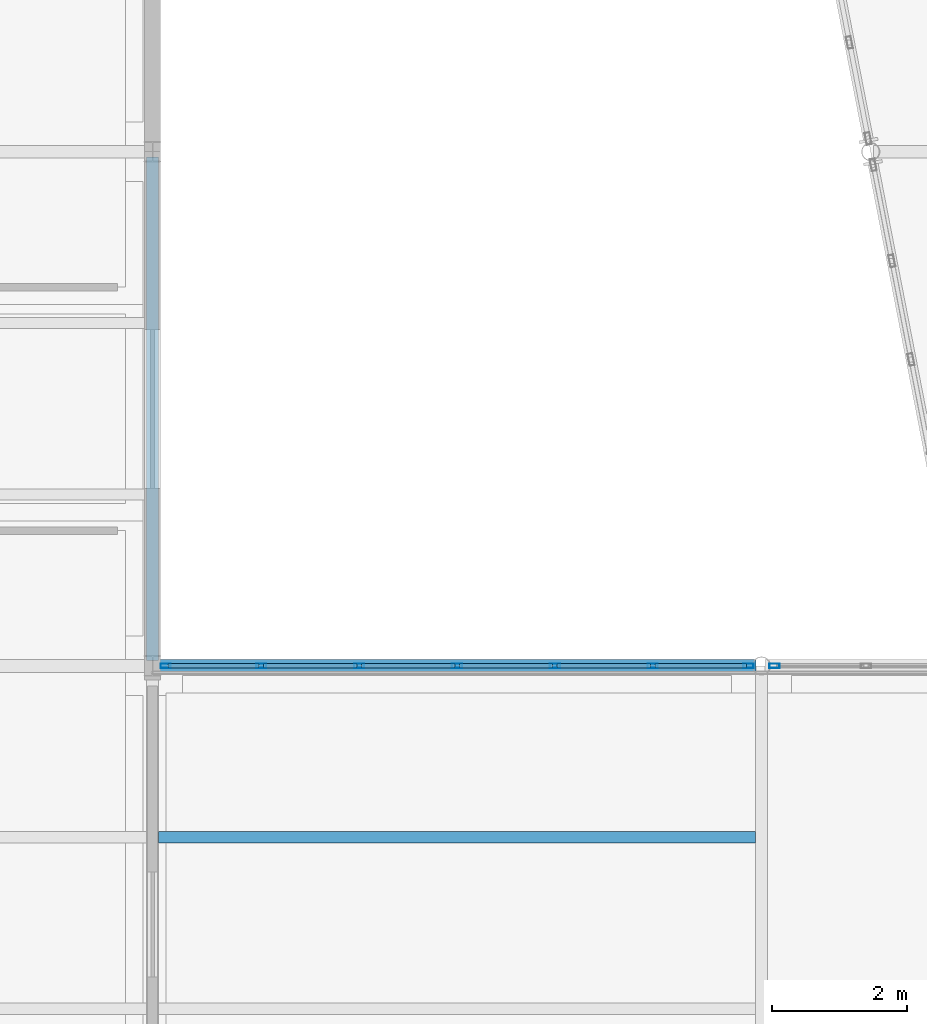
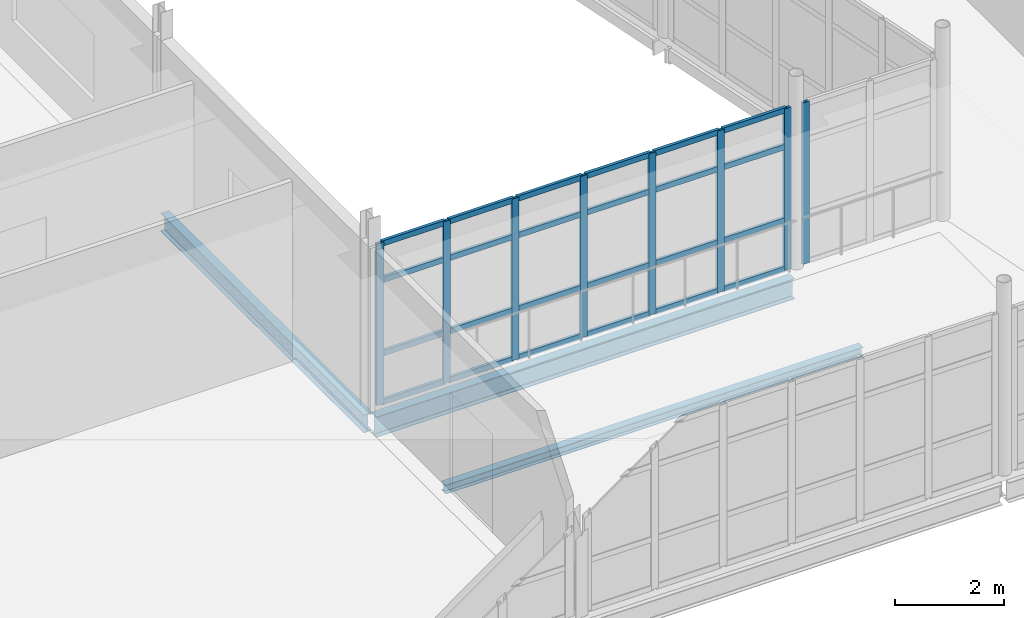
# One storey, part 95 of 174: 32 members, 3 beams, 2 elements without a shape of their own.
"""IFC4 building model written with IfcOpenShell, lengths in metres."""

from ifc_helpers import new_model, si_unit, direction, frame, origin, origin_2d, place, context, subcontext, project, spatial, hollow_rectangle, i_section, extrude, material, material_profile, profile_set, type_object, element, aggregate, save


model = new_model("IFC4")

# Units and contexts
model_context = context("Model", 3, precision=1e-05, world=origin(), true_north=direction((0.0, 1.0)))
body_context = subcontext(model_context, "Body", "Model", "MODEL_VIEW")
ifc_project = project(units=[si_unit("LENGTHUNIT", "METRE"), si_unit("AREAUNIT", "SQUARE_METRE"), si_unit("VOLUMEUNIT", "CUBIC_METRE"), si_unit("PLANEANGLEUNIT", "RADIAN"), si_unit("MASSUNIT", "GRAM", prefix="KILO")], contexts=[model_context])

# Site, building, storey
site_placement = place(None, origin())
site = spatial("IfcSite", under=ifc_project, at=site_placement, CompositionType="ELEMENT")
building_placement = place(site_placement, origin())
building = spatial("IfcBuilding", under=site, at=building_placement, Name="Caisbarro Railhouse Central Library", CompositionType="ELEMENT")
storey_placement = place(building_placement, frame((0.0, 0.0, 5.0400390625)))
storey = spatial("IfcBuildingStorey", under=building, at=storey_placement, Name="L01", CompositionType="ELEMENT", Elevation=5.0400390625)

# Beams
ifc_material_1 = material(Name="Steel ASTM A572 Grade 50", Category="steel")
ifc_material_profile_1 = material_profile(ifc_material_1, i_section(OverallWidth=0.177978515625, OverallDepth=0.406982421875, WebThickness=0.0078125, FlangeThickness=0.0126953125, FilletRadius=0.01611328125, at=origin_2d()), Name="W410X60.0")
ifc_profile_set_1 = profile_set([ifc_material_profile_1], Name="Steel ASTM A572 Grade 50")
beam_type_1 = type_object("IfcBeamType", Name="BM-G10", PredefinedType="BEAM", material=ifc_profile_set_1)
beam_1_placement = place(storey_placement, frame((99.0, 91.280029296875, -0.403564453125), z_axis=(0.0, 1.0, 0.0), x_axis=(-1.0, 0.0, 0.0)))
element("IfcBeam", 1, at=beam_1_placement, inside=storey, type_object=beam_type_1, Name="G10 beam L01 #1205", PredefinedType="BEAM", context=body_context, shape_type="SweptSolid", body=[
    extrude(i_section(OverallWidth=0.177978515625, OverallDepth=0.406982421875, WebThickness=0.0078125, FlangeThickness=0.0126953125, FilletRadius=0.01611328125, at=origin_2d()), origin(), (0.0, 0.0, 1.0), 7.43994140625),
])
ifc_material_profile_2 = material_profile(ifc_material_1, i_section(OverallWidth=0.1650390625, OverallDepth=0.200927734375, WebThickness=0.006103515625, FlangeThickness=0.01025390625, FilletRadius=0.010009765625, at=origin_2d()), Name="W200X35.9")
ifc_profile_set_2 = profile_set([ifc_material_profile_2], Name="Steel ASTM A572 Grade 50")
beam_type_2 = type_object("IfcBeamType", Name="BM-J06", PredefinedType="JOIST", material=ifc_profile_set_2)
beam_2_placement = place(storey_placement, frame((99.089111328125, 88.666748046875, -0.300537109375), z_axis=(1.0, 0.0, 0.0), x_axis=(0.0, 1.0, 0.0)))
element("IfcBeam", 2, at=beam_2_placement, inside=storey, type_object=beam_type_2, Name="J06 beam L01 #1264", PredefinedType="JOIST", context=body_context, shape_type="SweptSolid", body=[
    extrude(i_section(OverallWidth=0.1650390625, OverallDepth=0.200927734375, WebThickness=0.006103515625, FlangeThickness=0.01025390625, FilletRadius=0.010009765625, at=origin_2d()), origin(), (0.0, 0.0, 1.0), 8.82177734375),
])
ifc_material_profile_3 = material_profile(ifc_material_1, i_section(OverallWidth=0.18994140625, OverallDepth=0.45703125, WebThickness=0.009033203125, FlangeThickness=0.014404296875, FilletRadius=0.01806640625, at=origin_2d()), Name="W460X74.0")
ifc_profile_set_3 = profile_set([ifc_material_profile_3], Name="Steel ASTM A572 Grade 50")
beam_type_3 = type_object("IfcBeamType", Name="BM-SP01", PredefinedType="SPANDREL", material=ifc_profile_set_3)
beam_3_placement = place(storey_placement, frame((99.080078125, 91.199951171875, -0.428466796875), z_axis=(1.0, 0.0, 0.0), x_axis=(0.0, 1.0, 0.0)))
element("IfcBeam", 3, at=beam_3_placement, inside=storey, type_object=beam_type_3, Name="SP01 beam L01 #1261", PredefinedType="SPANDREL", context=body_context, shape_type="SweptSolid", body=[
    extrude(i_section(OverallWidth=0.18994140625, OverallDepth=0.45703125, WebThickness=0.009033203125, FlangeThickness=0.014404296875, FilletRadius=0.01806640625, at=origin_2d()), origin(), (0.0, 0.0, 1.0), 8.83984375),
])

# Curtain wall, members
ifc_material_2 = material(Name="Anodised architectural aluminium", Category="aluminium")
curtain_wall_type = type_object("IfcCurtainWallType", Name="CW-CW03", PredefinedType="NOTDEFINED", material=ifc_material_2)
curtain_wall_1_placement = place(storey_placement, origin())
curtain_wall_1 = element("IfcCurtainWall", 4, at=curtain_wall_1_placement, inside=storey, type_object=curtain_wall_type, Name="CW03 curtain wall L01 #200", PredefinedType="NOTDEFINED")
ifc_material_profile_4 = material_profile(ifc_material_2, hollow_rectangle(XDim=0.06494140625, YDim=0.14990234375, WallThickness=0.00390625, at=origin_2d()), Name="ALU-MUL-65X150")
ifc_profile_set_4 = profile_set([ifc_material_profile_4], Name="Anodised architectural aluminium")
member_type_1 = type_object("IfcMemberType", Name="CWM-M02", PredefinedType="MULLION", material=ifc_profile_set_4)
member_1_placement = place(storey_placement, frame((99.1923828125, 91.199951171875, 0.0), z_axis=(0.0, 0.0, 1.0), x_axis=(0.0, 1.0, 0.0)))
member_1 = element("IfcMember", 5, at=member_1_placement, type_object=member_type_1, Name="CW03 mullion 1", PredefinedType="MULLION", context=body_context, shape_type="SweptSolid", body=[
    extrude(hollow_rectangle(XDim=0.06494140625, YDim=0.14990234375, WallThickness=0.00390625, at=origin_2d()), origin(), (0.0, 0.0, 1.0), 3.60986328125),
])
member_2_placement = place(storey_placement, frame((100.606689453125, 91.199951171875, 0.0), z_axis=(0.0, 0.0, 1.0), x_axis=(0.0, 1.0, 0.0)))
member_2 = element("IfcMember", 6, at=member_2_placement, type_object=member_type_1, Name="CW03 mullion 2", PredefinedType="MULLION", context=body_context, shape_type="SweptSolid", body=[
    extrude(hollow_rectangle(XDim=0.06494140625, YDim=0.14990234375, WallThickness=0.00390625, at=origin_2d()), origin(), (0.0, 0.0, 1.0), 3.60986328125),
])
member_3_placement = place(storey_placement, frame((102.05322265625, 91.199951171875, 0.0), z_axis=(0.0, 0.0, 1.0), x_axis=(0.0, 1.0, 0.0)))
member_3 = element("IfcMember", 7, at=member_3_placement, type_object=member_type_1, Name="CW03 mullion 3", PredefinedType="MULLION", context=body_context, shape_type="SweptSolid", body=[
    extrude(hollow_rectangle(XDim=0.06494140625, YDim=0.14990234375, WallThickness=0.00390625, at=origin_2d()), origin(), (0.0, 0.0, 1.0), 3.60986328125),
])
member_4_placement = place(storey_placement, frame((103.5, 91.199951171875, 0.0), z_axis=(0.0, 0.0, 1.0), x_axis=(0.0, 1.0, 0.0)))
member_4 = element("IfcMember", 8, at=member_4_placement, type_object=member_type_1, Name="CW03 mullion 4", PredefinedType="MULLION", context=body_context, shape_type="SweptSolid", body=[
    extrude(hollow_rectangle(XDim=0.06494140625, YDim=0.14990234375, WallThickness=0.00390625, at=origin_2d()), origin(), (0.0, 0.0, 1.0), 3.60986328125),
])
member_5_placement = place(storey_placement, frame((104.94677734375, 91.199951171875, 0.0), z_axis=(0.0, 0.0, 1.0), x_axis=(0.0, 1.0, 0.0)))
member_5 = element("IfcMember", 9, at=member_5_placement, type_object=member_type_1, Name="CW03 mullion 5", PredefinedType="MULLION", context=body_context, shape_type="SweptSolid", body=[
    extrude(hollow_rectangle(XDim=0.06494140625, YDim=0.14990234375, WallThickness=0.00390625, at=origin_2d()), origin(), (0.0, 0.0, 1.0), 3.60986328125),
])
member_6_placement = place(storey_placement, frame((106.393310546875, 91.199951171875, 0.0), z_axis=(0.0, 0.0, 1.0), x_axis=(0.0, 1.0, 0.0)))
member_6 = element("IfcMember", 10, at=member_6_placement, type_object=member_type_1, Name="CW03 mullion 6", PredefinedType="MULLION", context=body_context, shape_type="SweptSolid", body=[
    extrude(hollow_rectangle(XDim=0.06494140625, YDim=0.14990234375, WallThickness=0.00390625, at=origin_2d()), origin(), (0.0, 0.0, 1.0), 3.60986328125),
])
member_7_placement = place(storey_placement, frame((107.8076171875, 91.199951171875, 0.0), z_axis=(0.0, 0.0, 1.0), x_axis=(0.0, 1.0, 0.0)))
member_7 = element("IfcMember", 11, at=member_7_placement, type_object=member_type_1, Name="CW03 mullion 7", PredefinedType="MULLION", context=body_context, shape_type="SweptSolid", body=[
    extrude(hollow_rectangle(XDim=0.06494140625, YDim=0.14990234375, WallThickness=0.00390625, at=origin_2d()), origin(), (0.0, 0.0, 1.0), 3.60986328125),
])

# Curtain wall, member
curtain_wall_2_placement = place(storey_placement, origin())
curtain_wall_2 = element("IfcCurtainWall", 12, at=curtain_wall_2_placement, inside=storey, type_object=curtain_wall_type, Name="CW03 curtain wall L01 #201", PredefinedType="NOTDEFINED")
member_8_placement = place(storey_placement, frame((108.1923828125, 91.199951171875, 0.0), z_axis=(0.0, 0.0, 1.0), x_axis=(0.0, 1.0, 0.0)))
member_8 = element("IfcMember", 13, at=member_8_placement, type_object=member_type_1, Name="CW03 mullion 1", PredefinedType="MULLION", context=body_context, shape_type="SweptSolid", body=[
    extrude(hollow_rectangle(XDim=0.06494140625, YDim=0.14990234375, WallThickness=0.00390625, at=origin_2d()), origin(), (0.0, 0.0, 1.0), 3.60986328125),
])
aggregate(curtain_wall_2, [member_8])

# Member
ifc_material_profile_5 = material_profile(ifc_material_2, hollow_rectangle(XDim=0.06494140625, YDim=0.1201171875, WallThickness=0.00341796875, at=origin_2d()), Name="ALU-TRN-65X120")
ifc_profile_set_5 = profile_set([ifc_material_profile_5], Name="Anodised architectural aluminium")
member_type_2 = type_object("IfcMemberType", Name="CWT-T02", PredefinedType="USERDEFINED", material=ifc_profile_set_5)
member_9_placement = place(storey_placement, frame((99.22509765625, 91.199951171875, 0.032470703125), z_axis=(1.0, 0.0, 0.0), x_axis=(0.0, 1.0, 0.0)))
member_9 = element("IfcMember", 14, at=member_9_placement, type_object=member_type_2, Name="CW03 transom 1.1", ObjectType="TRANSOM", PredefinedType="USERDEFINED", context=body_context, shape_type="SweptSolid", body=[
    extrude(hollow_rectangle(XDim=0.06494140625, YDim=0.1201171875, WallThickness=0.00341796875, at=origin_2d()), origin(), (0.0, 0.0, 1.0), 1.34912109375),
])

member_10_placement = place(storey_placement, frame((99.22509765625, 91.199951171875, 1.119873046875), z_axis=(1.0, 0.0, 0.0), x_axis=(0.0, 1.0, 0.0)))
member_10 = element("IfcMember", 15, at=member_10_placement, type_object=member_type_2, Name="CW03 transom 1.2", ObjectType="TRANSOM", PredefinedType="USERDEFINED", context=body_context, shape_type="SweptSolid", body=[
    extrude(hollow_rectangle(XDim=0.06494140625, YDim=0.1201171875, WallThickness=0.00341796875, at=origin_2d()), origin(), (0.0, 0.0, 1.0), 1.34912109375),
])

member_11_placement = place(storey_placement, frame((99.22509765625, 91.199951171875, 2.760009765625), z_axis=(1.0, 0.0, 0.0), x_axis=(0.0, 1.0, 0.0)))
member_11 = element("IfcMember", 16, at=member_11_placement, type_object=member_type_2, Name="CW03 transom 1.3", ObjectType="TRANSOM", PredefinedType="USERDEFINED", context=body_context, shape_type="SweptSolid", body=[
    extrude(hollow_rectangle(XDim=0.06494140625, YDim=0.1201171875, WallThickness=0.00341796875, at=origin_2d()), origin(), (0.0, 0.0, 1.0), 1.34912109375),
])

member_12_placement = place(storey_placement, frame((99.22509765625, 91.199951171875, 3.577392578125), z_axis=(1.0, 0.0, 0.0), x_axis=(0.0, 1.0, 0.0)))
member_12 = element("IfcMember", 17, at=member_12_placement, type_object=member_type_2, Name="CW03 transom 1.4", ObjectType="TRANSOM", PredefinedType="USERDEFINED", context=body_context, shape_type="SweptSolid", body=[
    extrude(hollow_rectangle(XDim=0.06494140625, YDim=0.1201171875, WallThickness=0.00341796875, at=origin_2d()), origin(), (0.0, 0.0, 1.0), 1.34912109375),
])

member_13_placement = place(storey_placement, frame((100.63916015625, 91.199951171875, 0.032470703125), z_axis=(1.0, 0.0, 0.0), x_axis=(0.0, 1.0, 0.0)))
member_13 = element("IfcMember", 18, at=member_13_placement, type_object=member_type_2, Name="CW03 transom 2.1", ObjectType="TRANSOM", PredefinedType="USERDEFINED", context=body_context, shape_type="SweptSolid", body=[
    extrude(hollow_rectangle(XDim=0.06494140625, YDim=0.1201171875, WallThickness=0.00341796875, at=origin_2d()), origin(), (0.0, 0.0, 1.0), 1.381591796875),
])

member_14_placement = place(storey_placement, frame((100.63916015625, 91.199951171875, 1.119873046875), z_axis=(1.0, 0.0, 0.0), x_axis=(0.0, 1.0, 0.0)))
member_14 = element("IfcMember", 19, at=member_14_placement, type_object=member_type_2, Name="CW03 transom 2.2", ObjectType="TRANSOM", PredefinedType="USERDEFINED", context=body_context, shape_type="SweptSolid", body=[
    extrude(hollow_rectangle(XDim=0.06494140625, YDim=0.1201171875, WallThickness=0.00341796875, at=origin_2d()), origin(), (0.0, 0.0, 1.0), 1.381591796875),
])

member_15_placement = place(storey_placement, frame((100.63916015625, 91.199951171875, 2.760009765625), z_axis=(1.0, 0.0, 0.0), x_axis=(0.0, 1.0, 0.0)))
member_15 = element("IfcMember", 20, at=member_15_placement, type_object=member_type_2, Name="CW03 transom 2.3", ObjectType="TRANSOM", PredefinedType="USERDEFINED", context=body_context, shape_type="SweptSolid", body=[
    extrude(hollow_rectangle(XDim=0.06494140625, YDim=0.1201171875, WallThickness=0.00341796875, at=origin_2d()), origin(), (0.0, 0.0, 1.0), 1.381591796875),
])

member_16_placement = place(storey_placement, frame((100.63916015625, 91.199951171875, 3.577392578125), z_axis=(1.0, 0.0, 0.0), x_axis=(0.0, 1.0, 0.0)))
member_16 = element("IfcMember", 21, at=member_16_placement, type_object=member_type_2, Name="CW03 transom 2.4", ObjectType="TRANSOM", PredefinedType="USERDEFINED", context=body_context, shape_type="SweptSolid", body=[
    extrude(hollow_rectangle(XDim=0.06494140625, YDim=0.1201171875, WallThickness=0.00341796875, at=origin_2d()), origin(), (0.0, 0.0, 1.0), 1.381591796875),
])

member_17_placement = place(storey_placement, frame((102.0859375, 91.199951171875, 0.032470703125), z_axis=(1.0, 0.0, 0.0), x_axis=(0.0, 1.0, 0.0)))
member_17 = element("IfcMember", 22, at=member_17_placement, type_object=member_type_2, Name="CW03 transom 3.1", ObjectType="TRANSOM", PredefinedType="USERDEFINED", context=body_context, shape_type="SweptSolid", body=[
    extrude(hollow_rectangle(XDim=0.06494140625, YDim=0.1201171875, WallThickness=0.00341796875, at=origin_2d()), origin(), (0.0, 0.0, 1.0), 1.381591796875),
])

member_18_placement = place(storey_placement, frame((102.0859375, 91.199951171875, 1.119873046875), z_axis=(1.0, 0.0, 0.0), x_axis=(0.0, 1.0, 0.0)))
member_18 = element("IfcMember", 23, at=member_18_placement, type_object=member_type_2, Name="CW03 transom 3.2", ObjectType="TRANSOM", PredefinedType="USERDEFINED", context=body_context, shape_type="SweptSolid", body=[
    extrude(hollow_rectangle(XDim=0.06494140625, YDim=0.1201171875, WallThickness=0.00341796875, at=origin_2d()), origin(), (0.0, 0.0, 1.0), 1.381591796875),
])

member_19_placement = place(storey_placement, frame((102.0859375, 91.199951171875, 2.760009765625), z_axis=(1.0, 0.0, 0.0), x_axis=(0.0, 1.0, 0.0)))
member_19 = element("IfcMember", 24, at=member_19_placement, type_object=member_type_2, Name="CW03 transom 3.3", ObjectType="TRANSOM", PredefinedType="USERDEFINED", context=body_context, shape_type="SweptSolid", body=[
    extrude(hollow_rectangle(XDim=0.06494140625, YDim=0.1201171875, WallThickness=0.00341796875, at=origin_2d()), origin(), (0.0, 0.0, 1.0), 1.381591796875),
])

member_20_placement = place(storey_placement, frame((102.0859375, 91.199951171875, 3.577392578125), z_axis=(1.0, 0.0, 0.0), x_axis=(0.0, 1.0, 0.0)))
member_20 = element("IfcMember", 25, at=member_20_placement, type_object=member_type_2, Name="CW03 transom 3.4", ObjectType="TRANSOM", PredefinedType="USERDEFINED", context=body_context, shape_type="SweptSolid", body=[
    extrude(hollow_rectangle(XDim=0.06494140625, YDim=0.1201171875, WallThickness=0.00341796875, at=origin_2d()), origin(), (0.0, 0.0, 1.0), 1.381591796875),
])

member_21_placement = place(storey_placement, frame((103.532470703125, 91.199951171875, 0.032470703125), z_axis=(1.0, 0.0, 0.0), x_axis=(0.0, 1.0, 0.0)))
member_21 = element("IfcMember", 26, at=member_21_placement, type_object=member_type_2, Name="CW03 transom 4.1", ObjectType="TRANSOM", PredefinedType="USERDEFINED", context=body_context, shape_type="SweptSolid", body=[
    extrude(hollow_rectangle(XDim=0.06494140625, YDim=0.1201171875, WallThickness=0.00341796875, at=origin_2d()), origin(), (0.0, 0.0, 1.0), 1.381591796875),
])

member_22_placement = place(storey_placement, frame((103.532470703125, 91.199951171875, 1.119873046875), z_axis=(1.0, 0.0, 0.0), x_axis=(0.0, 1.0, 0.0)))
member_22 = element("IfcMember", 27, at=member_22_placement, type_object=member_type_2, Name="CW03 transom 4.2", ObjectType="TRANSOM", PredefinedType="USERDEFINED", context=body_context, shape_type="SweptSolid", body=[
    extrude(hollow_rectangle(XDim=0.06494140625, YDim=0.1201171875, WallThickness=0.00341796875, at=origin_2d()), origin(), (0.0, 0.0, 1.0), 1.381591796875),
])

member_23_placement = place(storey_placement, frame((103.532470703125, 91.199951171875, 2.760009765625), z_axis=(1.0, 0.0, 0.0), x_axis=(0.0, 1.0, 0.0)))
member_23 = element("IfcMember", 28, at=member_23_placement, type_object=member_type_2, Name="CW03 transom 4.3", ObjectType="TRANSOM", PredefinedType="USERDEFINED", context=body_context, shape_type="SweptSolid", body=[
    extrude(hollow_rectangle(XDim=0.06494140625, YDim=0.1201171875, WallThickness=0.00341796875, at=origin_2d()), origin(), (0.0, 0.0, 1.0), 1.381591796875),
])

member_24_placement = place(storey_placement, frame((103.532470703125, 91.199951171875, 3.577392578125), z_axis=(1.0, 0.0, 0.0), x_axis=(0.0, 1.0, 0.0)))
member_24 = element("IfcMember", 29, at=member_24_placement, type_object=member_type_2, Name="CW03 transom 4.4", ObjectType="TRANSOM", PredefinedType="USERDEFINED", context=body_context, shape_type="SweptSolid", body=[
    extrude(hollow_rectangle(XDim=0.06494140625, YDim=0.1201171875, WallThickness=0.00341796875, at=origin_2d()), origin(), (0.0, 0.0, 1.0), 1.381591796875),
])

member_25_placement = place(storey_placement, frame((104.979248046875, 91.199951171875, 0.032470703125), z_axis=(1.0, 0.0, 0.0), x_axis=(0.0, 1.0, 0.0)))
member_25 = element("IfcMember", 30, at=member_25_placement, type_object=member_type_2, Name="CW03 transom 5.1", ObjectType="TRANSOM", PredefinedType="USERDEFINED", context=body_context, shape_type="SweptSolid", body=[
    extrude(hollow_rectangle(XDim=0.06494140625, YDim=0.1201171875, WallThickness=0.00341796875, at=origin_2d()), origin(), (0.0, 0.0, 1.0), 1.381591796875),
])

member_26_placement = place(storey_placement, frame((104.979248046875, 91.199951171875, 1.119873046875), z_axis=(1.0, 0.0, 0.0), x_axis=(0.0, 1.0, 0.0)))
member_26 = element("IfcMember", 31, at=member_26_placement, type_object=member_type_2, Name="CW03 transom 5.2", ObjectType="TRANSOM", PredefinedType="USERDEFINED", context=body_context, shape_type="SweptSolid", body=[
    extrude(hollow_rectangle(XDim=0.06494140625, YDim=0.1201171875, WallThickness=0.00341796875, at=origin_2d()), origin(), (0.0, 0.0, 1.0), 1.381591796875),
])

member_27_placement = place(storey_placement, frame((104.979248046875, 91.199951171875, 2.760009765625), z_axis=(1.0, 0.0, 0.0), x_axis=(0.0, 1.0, 0.0)))
member_27 = element("IfcMember", 32, at=member_27_placement, type_object=member_type_2, Name="CW03 transom 5.3", ObjectType="TRANSOM", PredefinedType="USERDEFINED", context=body_context, shape_type="SweptSolid", body=[
    extrude(hollow_rectangle(XDim=0.06494140625, YDim=0.1201171875, WallThickness=0.00341796875, at=origin_2d()), origin(), (0.0, 0.0, 1.0), 1.381591796875),
])

member_28_placement = place(storey_placement, frame((104.979248046875, 91.199951171875, 3.577392578125), z_axis=(1.0, 0.0, 0.0), x_axis=(0.0, 1.0, 0.0)))
member_28 = element("IfcMember", 33, at=member_28_placement, type_object=member_type_2, Name="CW03 transom 5.4", ObjectType="TRANSOM", PredefinedType="USERDEFINED", context=body_context, shape_type="SweptSolid", body=[
    extrude(hollow_rectangle(XDim=0.06494140625, YDim=0.1201171875, WallThickness=0.00341796875, at=origin_2d()), origin(), (0.0, 0.0, 1.0), 1.381591796875),
])

member_29_placement = place(storey_placement, frame((106.42578125, 91.199951171875, 0.032470703125), z_axis=(1.0, 0.0, 0.0), x_axis=(0.0, 1.0, 0.0)))
member_29 = element("IfcMember", 34, at=member_29_placement, type_object=member_type_2, Name="CW03 transom 6.1", ObjectType="TRANSOM", PredefinedType="USERDEFINED", context=body_context, shape_type="SweptSolid", body=[
    extrude(hollow_rectangle(XDim=0.06494140625, YDim=0.1201171875, WallThickness=0.00341796875, at=origin_2d()), origin(), (0.0, 0.0, 1.0), 1.34912109375),
])

member_30_placement = place(storey_placement, frame((106.42578125, 91.199951171875, 1.119873046875), z_axis=(1.0, 0.0, 0.0), x_axis=(0.0, 1.0, 0.0)))
member_30 = element("IfcMember", 35, at=member_30_placement, type_object=member_type_2, Name="CW03 transom 6.2", ObjectType="TRANSOM", PredefinedType="USERDEFINED", context=body_context, shape_type="SweptSolid", body=[
    extrude(hollow_rectangle(XDim=0.06494140625, YDim=0.1201171875, WallThickness=0.00341796875, at=origin_2d()), origin(), (0.0, 0.0, 1.0), 1.34912109375),
])

member_31_placement = place(storey_placement, frame((106.42578125, 91.199951171875, 2.760009765625), z_axis=(1.0, 0.0, 0.0), x_axis=(0.0, 1.0, 0.0)))
member_31 = element("IfcMember", 36, at=member_31_placement, type_object=member_type_2, Name="CW03 transom 6.3", ObjectType="TRANSOM", PredefinedType="USERDEFINED", context=body_context, shape_type="SweptSolid", body=[
    extrude(hollow_rectangle(XDim=0.06494140625, YDim=0.1201171875, WallThickness=0.00341796875, at=origin_2d()), origin(), (0.0, 0.0, 1.0), 1.34912109375),
])

member_32_placement = place(storey_placement, frame((106.42578125, 91.199951171875, 3.577392578125), z_axis=(1.0, 0.0, 0.0), x_axis=(0.0, 1.0, 0.0)))
member_32 = element("IfcMember", 37, at=member_32_placement, type_object=member_type_2, Name="CW03 transom 6.4", ObjectType="TRANSOM", PredefinedType="USERDEFINED", context=body_context, shape_type="SweptSolid", body=[
    extrude(hollow_rectangle(XDim=0.06494140625, YDim=0.1201171875, WallThickness=0.00341796875, at=origin_2d()), origin(), (0.0, 0.0, 1.0), 1.34912109375),
])

aggregate(curtain_wall_1, [member_1, member_2, member_3, member_4, member_5, member_6, member_7, member_9, member_10, member_11, member_12, member_13, member_14, member_15, member_16, member_17, member_18, member_19, member_20, member_21, member_22, member_23, member_24, member_25, member_26, member_27, member_28, member_29, member_30, member_31, member_32])

save(model, "model.ifc")
